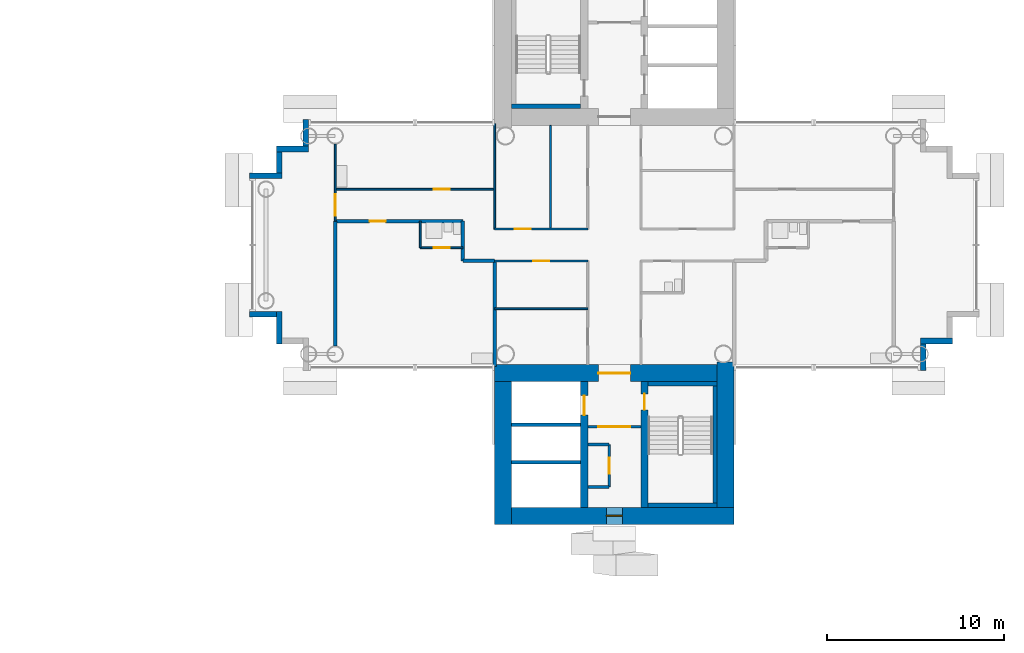
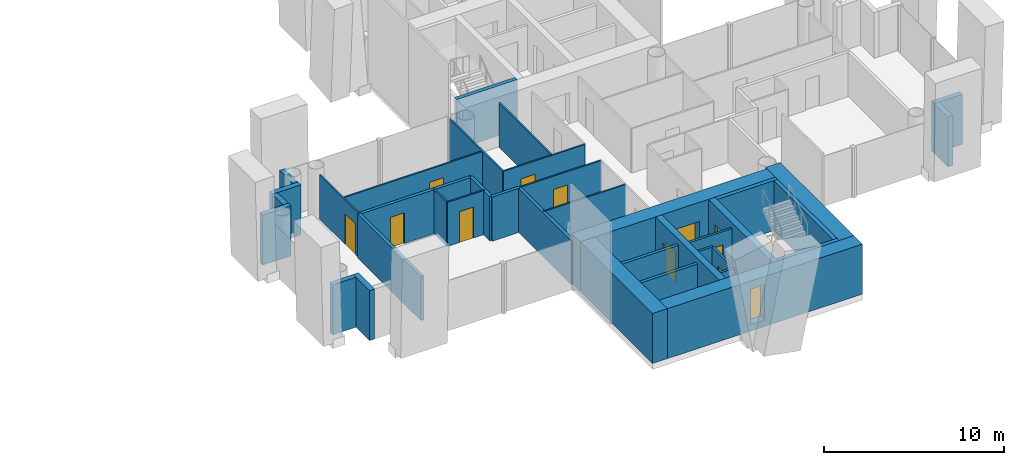
# One storey, part 11 of 20: 38 walls, 11 doors, 1 window, 12 openings.
"""IFC4 building model written with IfcOpenShell, lengths in metres."""

from ifc_helpers import new_model, si_unit, direction, frame, frame_2d, origin, place, context, subcontext, project, spatial, rectangle, extrude, material, layer, layer_set, type_object, element, fill, save


model = new_model("IFC4")

# Units and contexts
model_context = context("Model", 3, precision=1e-05, world=origin(), true_north=direction((0.0, 1.0)))
body_context = subcontext(model_context, "Body", "Model", "MODEL_VIEW")
ifc_project = project(units=[si_unit("LENGTHUNIT", "METRE"), si_unit("AREAUNIT", "SQUARE_METRE"), si_unit("VOLUMEUNIT", "CUBIC_METRE"), si_unit("PLANEANGLEUNIT", "RADIAN"), si_unit("MASSUNIT", "GRAM", prefix="KILO")], contexts=[model_context])

# Site, building, storey
site_placement = place(None, origin())
site = spatial("IfcSite", under=ifc_project, at=site_placement, CompositionType="ELEMENT")
building_placement = place(site_placement, origin())
building = spatial("IfcBuilding", under=site, at=building_placement, Name="Ipe Terrace Towers", CompositionType="ELEMENT")
storey_placement = place(building_placement, frame((0.0, 0.0, 100.39990234375)))
storey = spatial("IfcBuildingStorey", under=building, at=storey_placement, Name="L27", CompositionType="ELEMENT", Elevation=100.39990234375)

# Walls
ifc_material_1 = material(Name="Concrete C40/50 with buff precast cladding", Category="concrete")
ifc_layer_1 = layer(ifc_material_1, 0.320068359375)
ifc_layer_set_1 = layer_set([ifc_layer_1], Name="BUFF CLADDING WALL 320")
wall_type_1 = type_object("IfcWallType", Name="BUFF CLADDING WALL 320", PredefinedType="STANDARD", material=ifc_layer_set_1)
wall_1_placement = place(storey_placement, frame((53.409912109375, -7.070068359375, -0.2998046875), z_axis=(0.0, 0.0, 1.0), x_axis=(0.0, 1.0, 0.0)))
element("IfcWall", 1, at=wall_1_placement, inside=storey, type_object=wall_type_1, Name="T2-W-L27-04a wall", PredefinedType="STANDARD", context=body_context, shape_type="SweptSolid", body=[
    extrude(rectangle(XDim=1.5, YDim=0.320068359375, at=frame_2d((0.75, 0.0))), origin(), (0.0, 0.0, 1.0), 3.39990234375),
])
wall_2_placement = place(storey_placement, frame((53.25, -5.409912109375, -0.2998046875), z_axis=(0.0, 0.0, 1.0), x_axis=(1.0, 0.0, 0.0)))
element("IfcWall", 2, at=wall_2_placement, inside=storey, type_object=wall_type_1, Name="T2-W-L27-05a wall", PredefinedType="STANDARD", context=body_context, shape_type="SweptSolid", body=[
    extrude(rectangle(XDim=1.820068359375, YDim=0.320068359375, at=frame_2d((0.91015625, 0.0))), origin(), (0.0, 0.0, 1.0), 3.39990234375),
])
wall_3_placement = place(storey_placement, frame((18.590087890625, 7.070068359375, -0.2998046875), z_axis=(0.0, 0.0, 1.0), x_axis=(0.0, -1.0, 0.0)))
element("IfcWall", 3, at=wall_3_placement, inside=storey, type_object=wall_type_1, Name="T2-W-L27-30a wall", PredefinedType="STANDARD", context=body_context, shape_type="SweptSolid", body=[
    extrude(rectangle(XDim=1.5, YDim=0.320068359375, at=frame_2d((0.75, 0.0))), origin(), (0.0, 0.0, 1.0), 3.39990234375),
])
wall_4_placement = place(storey_placement, frame((18.75, 5.409912109375, -0.2998046875), z_axis=(0.0, 0.0, 1.0), x_axis=(-1.0, 0.0, 0.0)))
element("IfcWall", 4, at=wall_4_placement, inside=storey, type_object=wall_type_1, Name="T2-W-L27-31a wall", PredefinedType="STANDARD", context=body_context, shape_type="SweptSolid", body=[
    extrude(rectangle(XDim=1.820068359375, YDim=0.320068359375, at=frame_2d((0.91015625, 0.0))), origin(), (0.0, 0.0, 1.0), 3.39990234375),
])
wall_5_placement = place(storey_placement, frame((17.090087890625, 5.25, -0.2998046875), z_axis=(0.0, 0.0, 1.0), x_axis=(0.0, -1.0, 0.0)))
element("IfcWall", 5, at=wall_5_placement, inside=storey, type_object=wall_type_1, Name="T2-W-L27-32a wall", PredefinedType="STANDARD", context=body_context, shape_type="SweptSolid", body=[
    extrude(rectangle(XDim=1.179931640625, YDim=0.320068359375, at=frame_2d((0.58984375, 0.0))), origin(), (0.0, 0.0, 1.0), 3.39990234375),
])
wall_6_placement = place(storey_placement, frame((17.25, 3.909912109375, -0.2998046875), z_axis=(0.0, 0.0, 1.0), x_axis=(-1.0, 0.0, 0.0)))
element("IfcWall", 6, at=wall_6_placement, inside=storey, type_object=wall_type_1, Name="T2-W-L27-33a wall", PredefinedType="STANDARD", context=body_context, shape_type="SweptSolid", body=[
    extrude(rectangle(XDim=1.820068359375, YDim=0.320068359375, at=frame_2d((0.91015625, 0.0))), origin(), (0.0, 0.0, 1.0), 3.39990234375),
])
wall_7_placement = place(storey_placement, frame((15.429931640625, -3.909912109375, -0.2998046875), z_axis=(0.0, 0.0, 1.0), x_axis=(1.0, 0.0, 0.0)))
element("IfcWall", 7, at=wall_7_placement, inside=storey, type_object=wall_type_1, Name="T2-W-L27-35a wall", PredefinedType="STANDARD", context=body_context, shape_type="SweptSolid", body=[
    extrude(rectangle(XDim=1.5, YDim=0.320068359375, at=frame_2d((0.75, 0.0))), origin(), (0.0, 0.0, 1.0), 3.39990234375),
])
wall_8_placement = place(storey_placement, frame((17.090087890625, -3.75, -0.2998046875), z_axis=(0.0, 0.0, 1.0), x_axis=(0.0, -1.0, 0.0)))
element("IfcWall", 8, at=wall_8_placement, inside=storey, type_object=wall_type_1, Name="T2-W-L27-36a wall", PredefinedType="STANDARD", context=body_context, shape_type="SweptSolid", body=[
    extrude(rectangle(XDim=1.820068359375, YDim=0.320068359375, at=frame_2d((0.91015625, 0.0))), origin(), (0.0, 0.0, 1.0), 3.39990234375),
])
ifc_material_2 = material(Name="Gypsum board partition", Category="plasterboard")
ifc_layer_2 = layer(ifc_material_2, 0.10009765625)
ifc_layer_set_2 = layer_set([ifc_layer_2], Name="Gypsum board partition 100 mm")
wall_type_2 = type_object("IfcWallType", Name="Gypsum board partition 100 mm", PredefinedType="PARTITIONING", material=ifc_layer_set_2)
wall_9_placement = place(storey_placement, frame((34.5, -3.60009765625, 0.0), z_axis=(0.0, 0.0, 1.0), x_axis=(-1.0, 0.0, 0.0)))
element("IfcWall", 9, at=wall_9_placement, inside=storey, type_object=wall_type_2, Name="Gypsum board partition T2 L27 W01", PredefinedType="PARTITIONING", context=body_context, shape_type="SweptSolid", body=[
    extrude(rectangle(XDim=5.25, YDim=0.10009765625, at=frame_2d((2.625, 0.0))), origin(), (0.0, 0.0, 1.0), 3.0),
])

# Wall, opening, door
wall_10_placement = place(storey_placement, frame((34.5, -0.89990234375, 0.0), z_axis=(0.0, 0.0, 1.0), x_axis=(-1.0, 0.0, 0.0)))
wall_10 = element("IfcWall", 10, at=wall_10_placement, inside=storey, type_object=wall_type_2, Name="Gypsum board partition T2 L27 W04", PredefinedType="PARTITIONING", context=body_context, shape_type="SweptSolid", body=[
    extrude(rectangle(XDim=5.25, YDim=0.10009765625, at=frame_2d((2.625, 0.0))), origin(), (0.0, 0.0, 1.0), 3.0),
])
opening_1_placement = place(wall_10_placement, frame((2.175048828125, 0.0, 0.0)))
opening_1 = element("IfcOpeningElement", 11, at=opening_1_placement, cuts=wall_10, Name="Opening T2-Z2E-04", PredefinedType="OPENING", context=body_context, shape_type="SweptSolid", body=[
    extrude(rectangle(XDim=0.89990234375, YDim=2.10009765625, at=frame_2d((0.449951171875, 1.050048828125))), frame((0.0, 0.06005859375, 0.0), z_axis=(0.0, -1.0, 0.0), x_axis=(1.0, 0.0, 0.0)), (0.0, 0.0, 1.0), 0.1201171875),
])
ifc_material_3 = material(Name="Timber door leaf", Category="wood")
door_type_1 = type_object("IfcDoorType", Name="Lounge door 900 x 2100", OperationType="NOTDEFINED", PredefinedType="DOOR", material=ifc_material_3)
door_1_placement = place(opening_1_placement, origin())
door_1 = element("IfcDoor", 12, at=door_1_placement, inside=storey, type_object=door_type_1, Name="Lounge door T2-Z2E-04", OperationType="SINGLE_SWING_LEFT", OverallHeight=2.10009765625, OverallWidth=0.89990234375, PredefinedType="DOOR", context=body_context, shape_type="SweptSolid", body=[
    extrude(rectangle(XDim=0.89990234375, YDim=2.10009765625, at=frame_2d((0.449951171875, 1.050048828125))), frame((0.0, 0.02490234375, 0.0), z_axis=(0.0, -1.0, 0.0), x_axis=(1.0, 0.0, 0.0)), (0.0, 0.0, 1.0), 0.050048828125),
])
fill(opening_1, door_1)

wall_11_placement = place(storey_placement, frame((27.449951171875, -0.14990234375, 0.0), z_axis=(0.0, 0.0, 1.0), x_axis=(-1.0, 0.0, 0.0)))
wall_11 = element("IfcWall", 13, at=wall_11_placement, inside=storey, type_object=wall_type_2, Name="Gypsum board partition T2 L27 W08", PredefinedType="PARTITIONING", context=body_context, shape_type="SweptSolid", body=[
    extrude(rectangle(XDim=2.39990234375, YDim=0.10009765625, at=frame_2d((1.199951171875, 0.0))), origin(), (0.0, 0.0, 1.0), 3.0),
])
opening_2_placement = place(wall_11_placement, frame((0.75, 0.0, 0.0)))
opening_2 = element("IfcOpeningElement", 14, at=opening_2_placement, cuts=wall_11, Name="Opening T2-Z2E-10", PredefinedType="OPENING", context=body_context, shape_type="SweptSolid", body=[
    extrude(rectangle(XDim=0.89990234375, YDim=2.10009765625, at=frame_2d((0.449951171875, 1.050048828125))), frame((0.0, 0.06005859375, 0.0), z_axis=(0.0, -1.0, 0.0), x_axis=(1.0, 0.0, 0.0)), (0.0, 0.0, 1.0), 0.1201171875),
])
ifc_material_4 = material(Name="Timber door leaf", Category="wood")
door_type_2 = type_object("IfcDoorType", Name="Bathroom door 900 x 2100", OperationType="NOTDEFINED", PredefinedType="DOOR", material=ifc_material_4)
door_2_placement = place(opening_2_placement, origin())
door_2 = element("IfcDoor", 15, at=door_2_placement, inside=storey, type_object=door_type_2, Name="Bathroom door T2-Z2E-10", OperationType="SINGLE_SWING_RIGHT", OverallHeight=2.10009765625, OverallWidth=0.89990234375, PredefinedType="DOOR", context=body_context, shape_type="SweptSolid", body=[
    extrude(rectangle(XDim=0.89990234375, YDim=2.10009765625, at=frame_2d((0.449951171875, 1.050048828125))), frame((0.0, 0.02490234375, 0.0), z_axis=(0.0, -1.0, 0.0), x_axis=(1.0, 0.0, 0.0)), (0.0, 0.0, 1.0), 0.050048828125),
])
fill(opening_2, door_2)

wall_12_placement = place(storey_placement, frame((34.5, 0.89990234375, 0.0), z_axis=(0.0, 0.0, 1.0), x_axis=(-1.0, 0.0, 0.0)))
wall_12 = element("IfcWall", 16, at=wall_12_placement, inside=storey, type_object=wall_type_2, Name="Gypsum board partition T2 L27 W10", PredefinedType="PARTITIONING", context=body_context, shape_type="SweptSolid", body=[
    extrude(rectangle(XDim=5.25, YDim=0.10009765625, at=frame_2d((2.625, 0.0))), origin(), (0.0, 0.0, 1.0), 3.0),
])
opening_3_placement = place(wall_12_placement, frame((3.22509765625, 0.0, 0.0)))
opening_3 = element("IfcOpeningElement", 17, at=opening_3_placement, cuts=wall_12, Name="Opening T2-Z2E-03", PredefinedType="OPENING", context=body_context, shape_type="SweptSolid", body=[
    extrude(rectangle(XDim=0.89990234375, YDim=2.10009765625, at=frame_2d((0.449951171875, 1.050048828125))), frame((0.0, 0.06005859375, 0.0), z_axis=(0.0, -1.0, 0.0), x_axis=(1.0, 0.0, 0.0)), (0.0, 0.0, 1.0), 0.1201171875),
])
door_3_placement = place(opening_3_placement, origin())
door_3 = element("IfcDoor", 18, at=door_3_placement, inside=storey, type_object=door_type_1, Name="Lounge door T2-Z2E-03", OperationType="SINGLE_SWING_RIGHT", OverallHeight=2.10009765625, OverallWidth=0.89990234375, PredefinedType="DOOR", context=body_context, shape_type="SweptSolid", body=[
    extrude(rectangle(XDim=0.89990234375, YDim=2.10009765625, at=frame_2d((0.449951171875, 1.050048828125))), frame((0.0, 0.02490234375, 0.0), z_axis=(0.0, -1.0, 0.0), x_axis=(1.0, 0.0, 0.0)), (0.0, 0.0, 1.0), 0.050048828125),
])
fill(opening_3, door_3)

wall_13_placement = place(storey_placement, frame((29.25, 3.14990234375, 0.0), z_axis=(0.0, 0.0, 1.0), x_axis=(-1.0, 0.0, 0.0)))
wall_13 = element("IfcWall", 19, at=wall_13_placement, inside=storey, type_object=wall_type_2, Name="Gypsum board partition T2 L27 W14", PredefinedType="PARTITIONING", context=body_context, shape_type="SweptSolid", body=[
    extrude(rectangle(XDim=9.0, YDim=0.10009765625, at=frame_2d((4.5, 0.0))), origin(), (0.0, 0.0, 1.0), 3.0),
])
opening_4_placement = place(wall_13_placement, frame((2.550048828125, 0.0, 0.0)))
opening_4 = element("IfcOpeningElement", 20, at=opening_4_placement, cuts=wall_13, Name="Opening T2-Z2E-11", PredefinedType="OPENING", context=body_context, shape_type="SweptSolid", body=[
    extrude(rectangle(XDim=0.89990234375, YDim=2.10009765625, at=frame_2d((0.449951171875, 1.050048828125))), frame((0.0, 0.06005859375, 0.0), z_axis=(0.0, -1.0, 0.0), x_axis=(1.0, 0.0, 0.0)), (0.0, 0.0, 1.0), 0.1201171875),
])
door_4_placement = place(opening_4_placement, origin())
door_4 = element("IfcDoor", 21, at=door_4_placement, inside=storey, type_object=door_type_1, Name="Lounge door T2-Z2E-11", OperationType="SINGLE_SWING_LEFT", OverallHeight=2.10009765625, OverallWidth=0.89990234375, PredefinedType="DOOR", context=body_context, shape_type="SweptSolid", body=[
    extrude(rectangle(XDim=0.89990234375, YDim=2.10009765625, at=frame_2d((0.449951171875, 1.050048828125))), frame((0.0, 0.02490234375, 0.0), z_axis=(0.0, -1.0, 0.0), x_axis=(1.0, 0.0, 0.0)), (0.0, 0.0, 1.0), 0.050048828125),
])
fill(opening_4, door_4)

# Walls
wall_14_placement = place(storey_placement, frame((32.39990234375, 0.89990234375, 0.0), z_axis=(0.0, 0.0, 1.0), x_axis=(0.0, 1.0, 0.0)))
element("IfcWall", 22, at=wall_14_placement, inside=storey, type_object=wall_type_2, Name="Gypsum board partition T2 L27 W36", PredefinedType="PARTITIONING", context=body_context, shape_type="SweptSolid", body=[
    extrude(rectangle(XDim=5.85009765625, YDim=0.10009765625, at=frame_2d((2.925048828125, 0.0))), origin(), (0.0, 0.0, 1.0), 3.0),
])
wall_15_placement = place(storey_placement, frame((29.25, 0.89990234375, 0.0), z_axis=(0.0, 0.0, 1.0), x_axis=(0.0, 1.0, 0.0)))
element("IfcWall", 23, at=wall_15_placement, inside=storey, type_object=wall_type_2, Name="Gypsum board partition T2 L27 W37", PredefinedType="PARTITIONING", context=body_context, shape_type="SweptSolid", body=[
    extrude(rectangle(XDim=5.9501953125, YDim=0.10009765625, at=frame_2d((2.97509765625, 0.0))), origin(), (0.0, 0.0, 1.0), 3.0),
])
wall_16_placement = place(storey_placement, frame((25.050048828125, -0.14990234375, 0.0), z_axis=(0.0, 0.0, 1.0), x_axis=(0.0, 1.0, 0.0)))
element("IfcWall", 24, at=wall_16_placement, inside=storey, type_object=wall_type_2, Name="Gypsum board partition T2 L27 W40", PredefinedType="PARTITIONING", context=body_context, shape_type="SweptSolid", body=[
    extrude(rectangle(XDim=1.5, YDim=0.10009765625, at=frame_2d((0.75, 0.0))), origin(), (0.0, 0.0, 1.0), 3.0),
])

# Wall, opening, door
wall_17_placement = place(storey_placement, frame((20.25, 1.35009765625, 0.0), z_axis=(0.0, 0.0, 1.0), x_axis=(0.0, 1.0, 0.0)))
wall_17 = element("IfcWall", 25, at=wall_17_placement, inside=storey, type_object=wall_type_2, Name="Gypsum board partition T2 L27 W41", PredefinedType="PARTITIONING", context=body_context, shape_type="SweptSolid", body=[
    extrude(rectangle(XDim=4.349853515625, YDim=0.10009765625, at=frame_2d((2.1748046875, 0.0))), origin(), (0.0, 0.0, 1.0), 3.0),
])
opening_5_placement = place(wall_17_placement, frame((0.300048828125, 0.0, 0.0)))
opening_5 = element("IfcOpeningElement", 26, at=opening_5_placement, cuts=wall_17, Name="Opening T2-Z2E-12", PredefinedType="OPENING", context=body_context, shape_type="SweptSolid", body=[
    extrude(rectangle(XDim=1.199951171875, YDim=2.10009765625, at=frame_2d((0.60009765625, 1.050048828125))), frame((0.0, 0.06005859375, 0.0), z_axis=(0.0, -1.0, 0.0), x_axis=(1.0, 0.0, 0.0)), (0.0, 0.0, 1.0), 0.1201171875),
])
ifc_material_5 = material(Name="Timber door leaf", Category="wood")
door_type_3 = type_object("IfcDoorType", Name="Lounge door 1200 x 2100", OperationType="NOTDEFINED", PredefinedType="DOOR", material=ifc_material_5)
door_5_placement = place(opening_5_placement, origin())
door_5 = element("IfcDoor", 27, at=door_5_placement, inside=storey, type_object=door_type_3, Name="Lounge door T2-Z2E-12", OperationType="SINGLE_SWING_RIGHT", OverallHeight=2.10009765625, OverallWidth=1.199951171875, PredefinedType="DOOR", context=body_context, shape_type="SweptSolid", body=[
    extrude(rectangle(XDim=1.199951171875, YDim=2.10009765625, at=frame_2d((0.60009765625, 1.050048828125))), frame((0.0, 0.02490234375, 0.0), z_axis=(0.0, -1.0, 0.0), x_axis=(1.0, 0.0, 0.0)), (0.0, 0.0, 1.0), 0.050048828125),
])
fill(opening_5, door_5)

ifc_material_6 = material(Name="Gypsum board partition", Category="plasterboard")
ifc_layer_3 = layer(ifc_material_6, 0.14990234375)
ifc_layer_set_3 = layer_set([ifc_layer_3], Name="Gypsum board partition 150 mm")
wall_type_3 = type_object("IfcWallType", Name="Gypsum board partition 150 mm", PredefinedType="PARTITIONING", material=ifc_layer_set_3)
wall_18_placement = place(storey_placement, frame((34.5, -10.25, 0.0), z_axis=(0.0, 0.0, 1.0), x_axis=(1.0, 0.0, 0.0)))
wall_18 = element("IfcWall", 28, at=wall_18_placement, inside=storey, type_object=wall_type_3, Name="Gypsum board partition T2 L27 t2c2-lobby-wall", PredefinedType="PARTITIONING", context=body_context, shape_type="SweptSolid", body=[
    extrude(rectangle(XDim=3.0, YDim=0.14990234375, at=frame_2d((1.5, 0.0))), origin(), (0.0, 0.0, 1.0), 3.0),
])
opening_6_placement = place(wall_18_placement, frame((0.60009765625, 0.0, 0.0)))
opening_6 = element("IfcOpeningElement", 29, at=opening_6_placement, cuts=wall_18, Name="Opening T2C2-VD", PredefinedType="OPENING", context=body_context, shape_type="SweptSolid", body=[
    extrude(rectangle(XDim=1.800048828125, YDim=2.10009765625, at=frame_2d((0.89990234375, 1.050048828125))), frame((0.0, 0.0849609375, 0.0), z_axis=(0.0, -1.0, 0.0), x_axis=(1.0, 0.0, 0.0)), (0.0, 0.0, 1.0), 0.169921875),
])
ifc_material_7 = material(Name="Fire-rated timber door leaf", Category="wood")
door_type_4 = type_object("IfcDoorType", Name="Lobby door 1800 x 2100 FD60", OperationType="NOTDEFINED", PredefinedType="DOOR", material=ifc_material_7)
door_6_placement = place(opening_6_placement, origin())
door_6 = element("IfcDoor", 30, at=door_6_placement, inside=storey, type_object=door_type_4, Name="Lobby door T2C2-VD", OperationType="SINGLE_SWING_LEFT", OverallHeight=2.10009765625, OverallWidth=1.800048828125, PredefinedType="DOOR", context=body_context, shape_type="SweptSolid", body=[
    extrude(rectangle(XDim=1.800048828125, YDim=2.10009765625, at=frame_2d((0.89990234375, 1.050048828125))), frame((0.0, 0.02490234375, 0.0), z_axis=(0.0, -1.0, 0.0), x_axis=(1.0, 0.0, 0.0)), (0.0, 0.0, 1.0), 0.050048828125),
])
fill(opening_6, door_6)

wall_19_placement = place(storey_placement, frame((35.699951171875, -11.25, 0.0), z_axis=(0.0, 0.0, 1.0), x_axis=(0.0, -1.0, 0.0)))
wall_19 = element("IfcWall", 31, at=wall_19_placement, inside=storey, type_object=wall_type_3, Name="Gypsum board partition T2 L27 t2c2-cup-s-f", PredefinedType="PARTITIONING", context=body_context, shape_type="SweptSolid", body=[
    extrude(rectangle(XDim=2.39990234375, YDim=0.14990234375, at=frame_2d((1.199951171875, 0.0))), origin(), (0.0, 0.0, 1.0), 3.0),
])
opening_7_placement = place(wall_19_placement, frame((0.75, 0.0, 0.0)))
opening_7 = element("IfcOpeningElement", 32, at=opening_7_placement, cuts=wall_19, Name="Opening T2C2-SC", PredefinedType="OPENING", context=body_context, shape_type="SweptSolid", body=[
    extrude(rectangle(XDim=0.89990234375, YDim=2.10009765625, at=frame_2d((0.449951171875, 1.050048828125))), frame((0.0, 0.0849609375, 0.0), z_axis=(0.0, -1.0, 0.0), x_axis=(1.0, 0.0, 0.0)), (0.0, 0.0, 1.0), 0.169921875),
])
ifc_material_8 = material(Name="Fire-rated timber door leaf", Category="wood")
door_type_5 = type_object("IfcDoorType", Name="Service door 900 x 2100 FD30S", OperationType="NOTDEFINED", PredefinedType="DOOR", material=ifc_material_8)
door_7_placement = place(opening_7_placement, origin())
door_7 = element("IfcDoor", 33, at=door_7_placement, inside=storey, type_object=door_type_5, Name="Service door T2C2-SC", OperationType="SINGLE_SWING_LEFT", OverallHeight=2.10009765625, OverallWidth=0.89990234375, PredefinedType="DOOR", context=body_context, shape_type="SweptSolid", body=[
    extrude(rectangle(XDim=0.89990234375, YDim=2.10009765625, at=frame_2d((0.449951171875, 1.050048828125))), frame((0.0, 0.02490234375, 0.0), z_axis=(0.0, -1.0, 0.0), x_axis=(1.0, 0.0, 0.0)), (0.0, 0.0, 1.0), 0.050048828125),
])
fill(opening_7, door_7)

# Walls
for number, where, z_axis, x_axis, name in (
    (34, (35.699951171875, -11.25, 0.0), (0.0, 0.0, 1.0), (-1.0, 0.0, 0.0), "Gypsum board partition T2 L27 t2c2-cup-s-a"),
    (35, (35.699951171875, -13.64990234375, 0.0), (0.0, 0.0, 1.0), (-1.0, 0.0, 0.0), "Gypsum board partition T2 L27 t2c2-cup-s-b"),
):
    element("IfcWall", number, at=place(storey_placement, frame(where, z_axis=z_axis, x_axis=x_axis)), inside=storey, type_object=wall_type_3, Name=name, PredefinedType="PARTITIONING", context=body_context, shape_type="SweptSolid", body=[
        extrude(rectangle(XDim=1.199951171875, YDim=0.14990234375, at=frame_2d((0.60009765625, 0.0))), origin(), (0.0, 0.0, 1.0), 3.0),
    ])
ifc_material_9 = material(Name="Gypsum board party wall", Category="plasterboard")
ifc_layer_4 = layer(ifc_material_9, 0.199951171875)
ifc_layer_set_4 = layer_set([ifc_layer_4], Name="Gypsum board party wall 200 mm")
wall_type_4 = type_object("IfcWallType", Name="Gypsum board party wall 200 mm", PredefinedType="SOLIDWALL", material=ifc_layer_set_4)
for number, where, z_axis, x_axis, name in (
    (36, (30.199951171875, -10.14990234375, 0.0), (0.0, 0.0, 1.0), (1.0, 0.0, 0.0), "Gypsum board party wall T2 L27 t2c2-shaft-div1"),
    (37, (30.199951171875, -12.25, 0.0), (0.0, 0.0, 1.0), (1.0, 0.0, 0.0), "Gypsum board party wall T2 L27 t2c2-shaft-div2"),
):
    element("IfcWall", number, at=place(storey_placement, frame(where, z_axis=z_axis, x_axis=x_axis)), inside=storey, type_object=wall_type_4, Name=name, PredefinedType="SOLIDWALL", context=body_context, shape_type="SweptSolid", body=[
        extrude(rectangle(XDim=3.900146484375, YDim=0.199951171875, at=frame_2d((1.9501953125, 0.0))), origin(), (0.0, 0.0, 1.0), 3.0),
    ])
wall_20_placement = place(storey_placement, frame((29.25, -0.89990234375, 0.0), z_axis=(0.0, 0.0, 1.0), x_axis=(-1.0, 0.0, 0.0)))
element("IfcWall", 38, at=wall_20_placement, inside=storey, type_object=wall_type_4, Name="Gypsum board party wall T2 L27 W06", PredefinedType="SOLIDWALL", context=body_context, shape_type="SweptSolid", body=[
    extrude(rectangle(XDim=1.800048828125, YDim=0.199951171875, at=frame_2d((0.89990234375, 0.0))), origin(), (0.0, 0.0, 1.0), 3.0),
])

# Wall, opening, door
wall_21_placement = place(storey_placement, frame((27.449951171875, 1.35009765625, 0.0), z_axis=(0.0, 0.0, 1.0), x_axis=(-1.0, 0.0, 0.0)))
wall_21 = element("IfcWall", 39, at=wall_21_placement, inside=storey, type_object=wall_type_4, Name="Gypsum board party wall T2 L27 W12", PredefinedType="SOLIDWALL", context=body_context, shape_type="SweptSolid", body=[
    extrude(rectangle(XDim=7.199951171875, YDim=0.199951171875, at=frame_2d((3.60009765625, 0.0))), origin(), (0.0, 0.0, 1.0), 3.0),
])
opening_8_placement = place(wall_21_placement, frame((4.35009765625, 0.0, 0.0)))
opening_8 = element("IfcOpeningElement", 40, at=opening_8_placement, cuts=wall_21, Name="Opening T2-Z2E-09", PredefinedType="OPENING", context=body_context, shape_type="SweptSolid", body=[
    extrude(rectangle(XDim=0.89990234375, YDim=2.10009765625, at=frame_2d((0.449951171875, 1.050048828125))), frame((0.0, 0.10986328125, 0.0), z_axis=(0.0, -1.0, 0.0), x_axis=(1.0, 0.0, 0.0)), (0.0, 0.0, 1.0), 0.219970703125),
])
ifc_material_10 = material(Name="Fire-rated timber door leaf", Category="wood")
door_type_6 = type_object("IfcDoorType", Name="Flat entrance door 900 x 2100 FD30S", OperationType="NOTDEFINED", PredefinedType="DOOR", material=ifc_material_10)
door_8_placement = place(opening_8_placement, origin())
door_8 = element("IfcDoor", 41, at=door_8_placement, inside=storey, type_object=door_type_6, Name="Flat entrance door T2-Z2E-09", OperationType="SINGLE_SWING_LEFT", OverallHeight=2.10009765625, OverallWidth=0.89990234375, PredefinedType="DOOR", context=body_context, shape_type="SweptSolid", body=[
    extrude(rectangle(XDim=0.89990234375, YDim=2.10009765625, at=frame_2d((0.449951171875, 1.050048828125))), frame((0.0, 0.02490234375, 0.0), z_axis=(0.0, -1.0, 0.0), x_axis=(1.0, 0.0, 0.0)), (0.0, 0.0, 1.0), 0.050048828125),
])
fill(opening_8, door_8)

# Walls
wall_22_placement = place(storey_placement, frame((29.25, -6.85009765625, 0.0), z_axis=(0.0, 0.0, 1.0), x_axis=(0.0, 1.0, 0.0)))
element("IfcWall", 42, at=wall_22_placement, inside=storey, type_object=wall_type_4, Name="Gypsum board party wall T2 L27 W38", PredefinedType="SOLIDWALL", context=body_context, shape_type="SweptSolid", body=[
    extrude(rectangle(XDim=5.9501953125, YDim=0.199951171875, at=frame_2d((2.97509765625, 0.0))), origin(), (0.0, 0.0, 1.0), 3.0),
])
wall_23_placement = place(storey_placement, frame((27.449951171875, -0.89990234375, 0.0), z_axis=(0.0, 0.0, 1.0), x_axis=(0.0, 1.0, 0.0)))
element("IfcWall", 43, at=wall_23_placement, inside=storey, type_object=wall_type_4, Name="Gypsum board party wall T2 L27 W39", PredefinedType="SOLIDWALL", context=body_context, shape_type="SweptSolid", body=[
    extrude(rectangle(XDim=2.25, YDim=0.199951171875, at=frame_2d((1.125, 0.0))), origin(), (0.0, 0.0, 1.0), 3.0),
])
wall_24_placement = place(storey_placement, frame((20.25, -5.699951171875, 0.0), z_axis=(0.0, 0.0, 1.0), x_axis=(0.0, 1.0, 0.0)))
element("IfcWall", 44, at=wall_24_placement, inside=storey, type_object=wall_type_4, Name="Gypsum board party wall T2 L27 W42", PredefinedType="SOLIDWALL", context=body_context, shape_type="SweptSolid", body=[
    extrude(rectangle(XDim=7.050048828125, YDim=0.199951171875, at=frame_2d((3.52490234375, 0.0))), origin(), (0.0, 0.0, 1.0), 3.0),
])
ifc_material_11 = material(Name="Concrete C50/60", Category="concrete")
ifc_layer_5 = layer(ifc_material_11, 0.25)
ifc_layer_set_5 = layer_set([ifc_layer_5], Name="RW250 CORE INFILL WALL 250 C50-60")
wall_type_5 = type_object("IfcWallType", Name="RW250 CORE INFILL WALL 250 C50-60", PredefinedType="SHEAR", material=ifc_layer_set_5)
for number, where, z_axis, x_axis, name in (
    (45, (34.10009765625, 7.824951171875, 0.0), (0.0, 0.0, 1.0), (-1.0, 0.0, 0.0), "Core infill wall T2-C1-near"),
    (46, (37.89990234375, -14.675048828125, 0.0), (0.0, 0.0, 1.0), (1.0, 0.0, 0.0), "Core infill wall T2-C2-far"),
):
    element("IfcWall", number, at=place(storey_placement, frame(where, z_axis=z_axis, x_axis=x_axis)), inside=storey, type_object=wall_type_5, Name=name, PredefinedType="SHEAR", context=body_context, shape_type="SweptSolid", body=[
        extrude(rectangle(XDim=3.900146484375, YDim=0.25, at=frame_2d((1.9501953125, 0.0))), origin(), (0.0, 0.0, 1.0), 3.400146484375),
    ])
wall_25_placement = place(storey_placement, frame((41.675048828125, -7.949951171875, 0.0), z_axis=(0.0, 0.0, 1.0), x_axis=(0.0, -1.0, 0.0)))
element("IfcWall", 47, at=wall_25_placement, inside=storey, type_object=wall_type_5, Name="Core infill wall T2-C2-back", PredefinedType="SHEAR", context=body_context, shape_type="SweptSolid", body=[
    extrude(rectangle(XDim=6.60009765625, YDim=0.25, at=frame_2d((3.300048828125, 0.0))), origin(), (0.0, 0.0, 1.0), 3.400146484375),
])
wall_26_placement = place(storey_placement, frame((37.89990234375, -7.824951171875, 0.0), z_axis=(0.0, 0.0, 1.0), x_axis=(1.0, 0.0, 0.0)))
element("IfcWall", 48, at=wall_26_placement, inside=storey, type_object=wall_type_5, Name="Core infill wall T2-C2-near", PredefinedType="SHEAR", context=body_context, shape_type="SweptSolid", body=[
    extrude(rectangle(XDim=3.900146484375, YDim=0.25, at=frame_2d((1.9501953125, 0.0))), origin(), (0.0, 0.0, 1.0), 3.400146484375),
])

# Wall, opening, door
ifc_material_12 = material(Name="Concrete C50/60", Category="concrete")
ifc_layer_6 = layer(ifc_material_12, 0.39990234375)
ifc_layer_set_6 = layer_set([ifc_layer_6], Name="RW400 CORE SPINE WALL 400 C50-60")
wall_type_6 = type_object("IfcWallType", Name="RW400 CORE SPINE WALL 400 C50-60", PredefinedType="SHEAR", material=ifc_layer_set_6)
wall_27_placement = place(storey_placement, frame((34.300048828125, -14.800048828125, 0.0), z_axis=(0.0, 0.0, 1.0), x_axis=(0.0, 1.0, 0.0)))
wall_27 = element("IfcWall", 49, at=wall_27_placement, inside=storey, type_object=wall_type_6, Name="Core spine wall T2-C2-Z2-SW1", PredefinedType="SHEAR", context=body_context, shape_type="SweptSolid", body=[
    extrude(rectangle(XDim=7.10009765625, YDim=0.39990234375, at=frame_2d((3.550048828125, 0.0))), origin(), (0.0, 0.0, 1.0), 3.400146484375),
])
opening_9_placement = place(wall_27_placement, frame((5.199951171875, 0.0, 0.0)))
opening_9 = element("IfcOpeningElement", 50, at=opening_9_placement, cuts=wall_27, Name="Opening T2C2-LD1", PredefinedType="OPENING", context=body_context, shape_type="SweptSolid", body=[
    extrude(rectangle(XDim=1.10009765625, YDim=2.10009765625, at=frame_2d((0.550048828125, 1.050048828125))), frame((0.0, 0.2099609375, 0.0), z_axis=(0.0, -1.0, 0.0), x_axis=(1.0, 0.0, 0.0)), (0.0, 0.0, 1.0), 0.419921875),
])
ifc_material_13 = material(Name="Fire-rated timber door leaf", Category="wood")
door_type_7 = type_object("IfcDoorType", Name="Sliding door 1100 x 2100 FD60", OperationType="SLIDING_TO_LEFT", PredefinedType="DOOR", material=ifc_material_13)
door_9_placement = place(opening_9_placement, origin())
door_9 = element("IfcDoor", 51, at=door_9_placement, inside=storey, type_object=door_type_7, Name="Sliding door T2C2-LD1", OperationType="SLIDING_TO_LEFT", OverallHeight=2.10009765625, OverallWidth=1.10009765625, PredefinedType="DOOR", context=body_context, shape_type="SweptSolid", body=[
    extrude(rectangle(XDim=1.10009765625, YDim=2.10009765625, at=frame_2d((0.550048828125, 1.050048828125))), frame((0.0, 0.02490234375, 0.0), z_axis=(0.0, -1.0, 0.0), x_axis=(1.0, 0.0, 0.0)), (0.0, 0.0, 1.0), 0.050048828125),
])
fill(opening_9, door_9)

wall_28_placement = place(storey_placement, frame((37.699951171875, -14.800048828125, 0.0), z_axis=(0.0, 0.0, 1.0), x_axis=(0.0, 1.0, 0.0)))
wall_28 = element("IfcWall", 52, at=wall_28_placement, inside=storey, type_object=wall_type_6, Name="Core spine wall T2-C2-Z2-SW2", PredefinedType="SHEAR", context=body_context, shape_type="SweptSolid", body=[
    extrude(rectangle(XDim=7.10009765625, YDim=0.39990234375, at=frame_2d((3.550048828125, 0.0))), origin(), (0.0, 0.0, 1.0), 3.400146484375),
])
opening_10_placement = place(wall_28_placement, frame((5.5, 0.0, 0.0)))
opening_10 = element("IfcOpeningElement", 53, at=opening_10_placement, cuts=wall_28, Name="Opening T2C2-SD", PredefinedType="OPENING", context=body_context, shape_type="SweptSolid", body=[
    extrude(rectangle(XDim=0.89990234375, YDim=2.10009765625, at=frame_2d((0.449951171875, 1.050048828125))), frame((0.0, 0.2099609375, 0.0), z_axis=(0.0, -1.0, 0.0), x_axis=(1.0, 0.0, 0.0)), (0.0, 0.0, 1.0), 0.419921875),
])
ifc_material_14 = material(Name="Fire-rated timber door leaf", Category="wood")
door_type_8 = type_object("IfcDoorType", Name="Stair door 900 x 2100 FD60", OperationType="NOTDEFINED", PredefinedType="DOOR", material=ifc_material_14)
door_10_placement = place(opening_10_placement, origin())
door_10 = element("IfcDoor", 54, at=door_10_placement, inside=storey, type_object=door_type_8, Name="Stair door T2C2-SD", OperationType="SINGLE_SWING_RIGHT", OverallHeight=2.10009765625, OverallWidth=0.89990234375, PredefinedType="DOOR", context=body_context, shape_type="SweptSolid", body=[
    extrude(rectangle(XDim=0.89990234375, YDim=2.10009765625, at=frame_2d((0.449951171875, 1.050048828125))), frame((0.0, 0.02490234375, 0.0), z_axis=(0.0, -1.0, 0.0), x_axis=(1.0, 0.0, 0.0)), (0.0, 0.0, 1.0), 0.050048828125),
])
fill(opening_10, door_10)

# Wall, opening, window
ifc_material_15 = material(Name="Concrete C50/60", Category="concrete")
ifc_layer_7 = layer(ifc_material_15, 0.949951171875)
ifc_layer_set_7 = layer_set([ifc_layer_7], Name="RW950 CORE WALL 950 C50-60")
wall_type_7 = type_object("IfcWallType", Name="RW950 CORE WALL 950 C50-60", PredefinedType="SHEAR", material=ifc_layer_set_7)
wall_29_placement = place(storey_placement, frame((30.199951171875, -15.27490234375, 0.0), z_axis=(0.0, 0.0, 1.0), x_axis=(1.0, 0.0, 0.0)))
wall_29 = element("IfcWall", 55, at=wall_29_placement, inside=storey, type_object=wall_type_7, Name="Core wall T2-C2-Z2-W01", PredefinedType="SHEAR", context=body_context, shape_type="SweptSolid", body=[
    extrude(rectangle(XDim=12.550048828125, YDim=0.949951171875, at=frame_2d((6.27490234375, 0.0))), origin(), (0.0, 0.0, 1.0), 3.400146484375),
])
opening_11_placement = place(wall_29_placement, frame((5.35009765625, 0.0, 0.449951171875)))
opening_11 = element("IfcOpeningElement", 56, at=opening_11_placement, cuts=wall_29, Name="Opening T2-C2-W-01-L27", PredefinedType="OPENING", context=body_context, shape_type="SweptSolid", body=[
    extrude(rectangle(XDim=0.89990234375, YDim=2.39990234375, at=frame_2d((0.449951171875, 1.199951171875))), frame((0.0, 0.48486328125, 0.0), z_axis=(0.0, -1.0, 0.0), x_axis=(1.0, 0.0, 0.0)), (0.0, 0.0, 1.0), 0.969970703125),
])
ifc_material_16 = material(Name="Fire-resistant glazing EI 60", Category="glass")
window_type = type_object("IfcWindowType", Name="CORRIDOR END SLOT WINDOW 900 x 2400 EI 60", PartitioningType="SINGLE_PANEL", PredefinedType="WINDOW", material=ifc_material_16)
window_placement = place(opening_11_placement, origin())
window = element("IfcWindow", 57, at=window_placement, inside=storey, type_object=window_type, Name="W-01 window", OverallHeight=2.39990234375, OverallWidth=0.89990234375, PartitioningType="SINGLE_PANEL", PredefinedType="WINDOW", context=body_context, shape_type="SweptSolid", body=[
    extrude(rectangle(XDim=0.89990234375, YDim=2.39990234375, at=frame_2d((0.449951171875, 1.199951171875))), frame((0.0, 0.030029296875, 0.0), z_axis=(0.0, -1.0, 0.0), x_axis=(1.0, 0.0, 0.0)), (0.0, 0.0, 1.0), 0.06005859375),
])
fill(opening_11, window)

# Wall
wall_30_placement = place(storey_placement, frame((42.27490234375, -14.800048828125, 0.0), z_axis=(0.0, 0.0, 1.0), x_axis=(0.0, 1.0, 0.0)))
element("IfcWall", 58, at=wall_30_placement, inside=storey, type_object=wall_type_7, Name="Core wall T2-C2-Z2-W02", PredefinedType="SHEAR", context=body_context, shape_type="SweptSolid", body=[
    extrude(rectangle(XDim=8.197998046875, YDim=0.949951171875, at=frame_2d((4.09912109375, 0.0))), origin(), (0.0, 0.0, 1.0), 3.400146484375),
])

# Wall, opening, door
wall_31_placement = place(storey_placement, frame((41.800048828125, -7.22509765625, 0.0), z_axis=(0.0, 0.0, 1.0), x_axis=(-1.0, 0.0, 0.0)))
wall_31 = element("IfcWall", 59, at=wall_31_placement, inside=storey, type_object=wall_type_7, Name="Core wall T2-C2-Z2-W03", PredefinedType="SHEAR", context=body_context, shape_type="SweptSolid", body=[
    extrude(rectangle(XDim=12.550048828125, YDim=0.949951171875, at=frame_2d((6.27490234375, 0.0))), origin(), (0.0, 0.0, 1.0), 3.400146484375),
])
opening_12_placement = place(wall_31_placement, frame((4.89990234375, 0.0, 0.0)))
opening_12 = element("IfcOpeningElement", 60, at=opening_12_placement, cuts=wall_31, Name="Opening T2C2-ND", PredefinedType="OPENING", context=body_context, shape_type="SweptSolid", body=[
    extrude(rectangle(XDim=1.800048828125, YDim=2.10009765625, at=frame_2d((0.89990234375, 1.050048828125))), frame((0.0, 0.48486328125, 0.0), z_axis=(0.0, -1.0, 0.0), x_axis=(1.0, 0.0, 0.0)), (0.0, 0.0, 1.0), 0.969970703125),
])
ifc_material_17 = material(Name="Fire-rated timber door leaf", Category="wood")
door_type_9 = type_object("IfcDoorType", Name="Fire door 1800 x 2100 FD30S", OperationType="NOTDEFINED", PredefinedType="DOOR", material=ifc_material_17)
door_11_placement = place(opening_12_placement, origin())
door_11 = element("IfcDoor", 61, at=door_11_placement, inside=storey, type_object=door_type_9, Name="Fire door T2C2-ND", OperationType="SINGLE_SWING_LEFT", OverallHeight=2.10009765625, OverallWidth=1.800048828125, PredefinedType="DOOR", context=body_context, shape_type="SweptSolid", body=[
    extrude(rectangle(XDim=1.800048828125, YDim=2.10009765625, at=frame_2d((0.89990234375, 1.050048828125))), frame((0.0, 0.02490234375, 0.0), z_axis=(0.0, -1.0, 0.0), x_axis=(1.0, 0.0, 0.0)), (0.0, 0.0, 1.0), 0.050048828125),
])
fill(opening_12, door_11)

# Wall
wall_32_placement = place(storey_placement, frame((29.72509765625, -7.699951171875, 0.0), z_axis=(0.0, 0.0, 1.0), x_axis=(0.0, -1.0, 0.0)))
element("IfcWall", 62, at=wall_32_placement, inside=storey, type_object=wall_type_7, Name="Core wall T2-C2-Z2-W04", PredefinedType="SHEAR", context=body_context, shape_type="SweptSolid", body=[
    extrude(rectangle(XDim=8.050048828125, YDim=0.949951171875, at=frame_2d((4.02490234375, 0.0))), origin(), (0.0, 0.0, 1.0), 3.400146484375),
])

save(model, "model.ifc")
